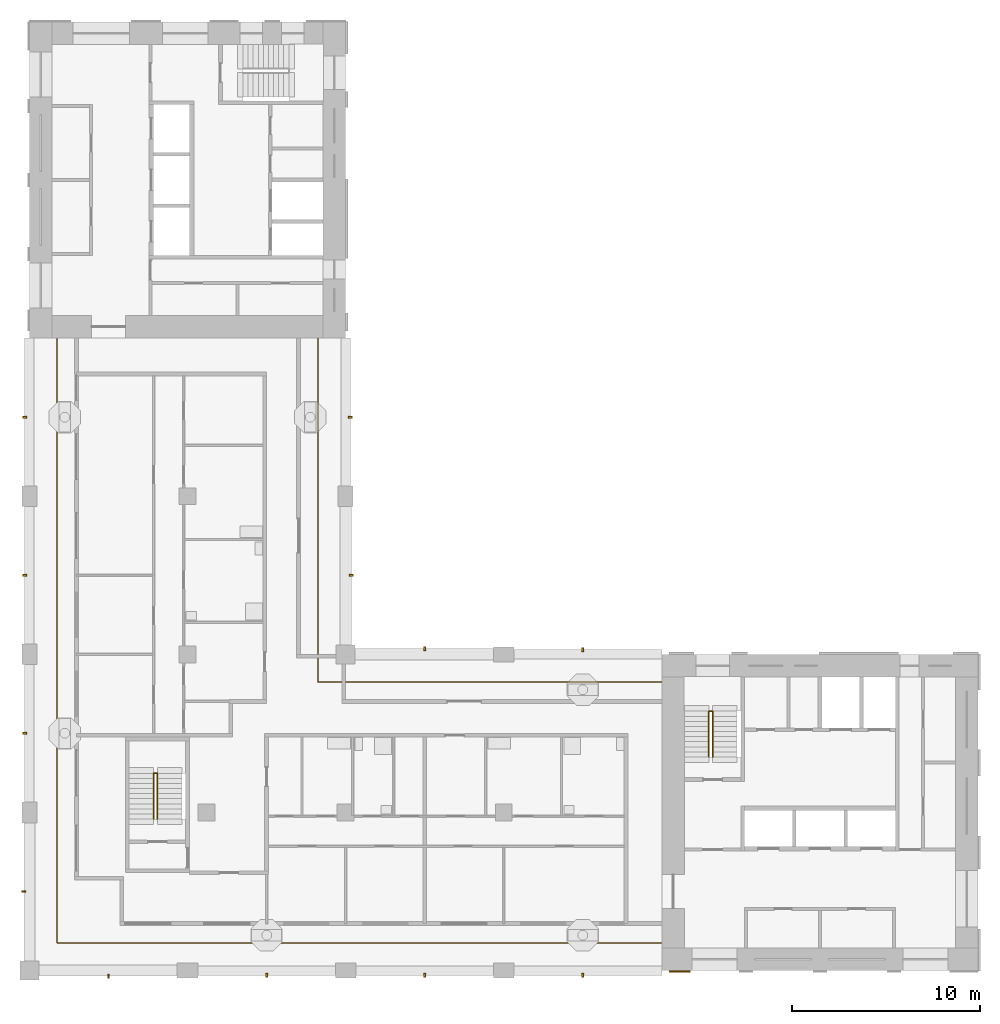
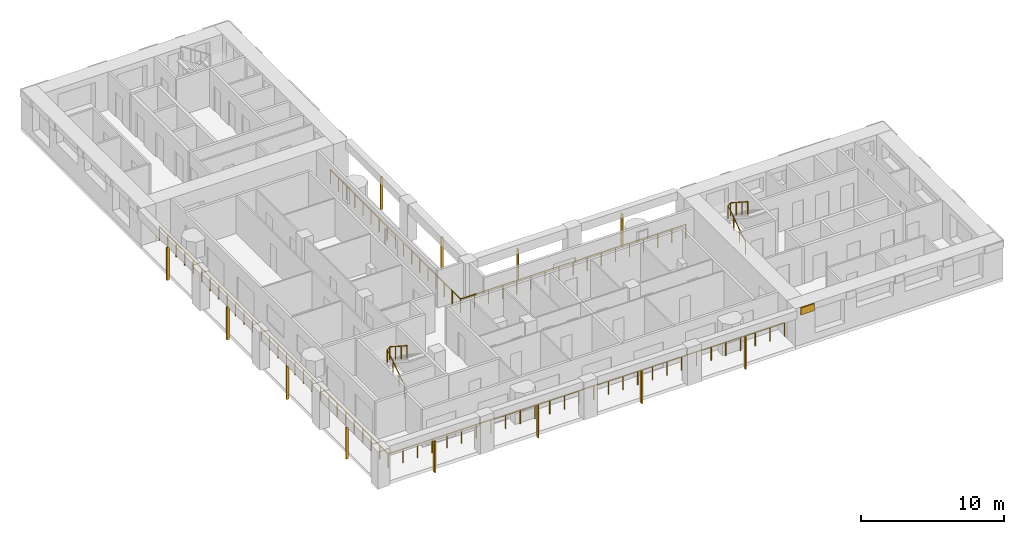
# One storey, part 7 of 11: 13 shading devices, 4 railings.
"""IFC4 building model written with IfcOpenShell, lengths in metres."""

from ifc_helpers import new_model, si_unit, direction, frame, origin, origin_2d, place, context, subcontext, project, spatial, rectangle, circle, extrude, material, layer, layer_set, material_profile, profile_set, type_object, element, save


model = new_model("IFC4")

# Units and contexts
model_context = context("Model", 3, precision=1e-05, world=origin(), true_north=direction((0.0, 1.0)))
body_context = subcontext(model_context, "Body", "Model", "MODEL_VIEW")
ifc_project = project(units=[si_unit("LENGTHUNIT", "METRE"), si_unit("AREAUNIT", "SQUARE_METRE"), si_unit("VOLUMEUNIT", "CUBIC_METRE"), si_unit("PLANEANGLEUNIT", "RADIAN"), si_unit("MASSUNIT", "GRAM", prefix="KILO")], contexts=[model_context])

# Site, building, storey
site_placement = place(None, origin())
site = spatial("IfcSite", under=ifc_project, at=site_placement, CompositionType="ELEMENT")
building_placement = place(site_placement, origin())
building = spatial("IfcBuilding", under=site, at=building_placement, Name="Vermilion Gate Residences", CompositionType="ELEMENT")
storey_placement = place(building_placement, frame((0.0, 0.0, 256.199951171875)))
storey = spatial("IfcBuildingStorey", under=building, at=storey_placement, Name="L67", CompositionType="ELEMENT", Elevation=256.199951171875)

# Railings
ifc_material_1 = material(Name="Stainless steel and toughened glass", Category="steel")
railing_type_1 = type_object("IfcRailingType", Name="LOGGIA GUARD STEEL AND GLASS 1200", PredefinedType="GUARDRAIL", material=ifc_material_1)
railing_1_placement = place(storey_placement, frame((41.97802734375, 23.72509765625, 0.0)))
element("IfcRailing", 1, at=railing_1_placement, inside=storey, type_object=railing_type_1, Name="Loggia guard", PredefinedType="GUARDRAIL", context=body_context, shape_type="SweptSolid", body=[
    extrude(circle(Radius=0.030029296875, at=origin_2d()), frame((0.0, 0.0, 1.169921875), z_axis=(-1.0, 0.0, 0.0), x_axis=(0.0, -1.0, 0.0)), (0.0, 0.0, 1.0), 18.2529296875),
    extrude(circle(Radius=0.030029296875, at=origin_2d()), frame((-18.2529296875, 0.0, 1.169921875), z_axis=(0.0, 1.0, 0.0), x_axis=(-1.0, 0.0, 0.0)), (0.0, 0.0, 1.0), 18.2529296875),
    extrude(circle(Radius=0.02490234375, at=origin_2d()), origin(), (0.0, 0.0, 1.0), 1.139892578125),
    extrude(circle(Radius=0.02490234375, at=origin_2d()), frame((-1.140869140625, 0.0, 0.0)), (0.0, 0.0, 1.0), 1.139892578125),
    extrude(circle(Radius=0.02490234375, at=origin_2d()), frame((-2.28173828125, 0.0, 0.0)), (0.0, 0.0, 1.0), 1.139892578125),
    extrude(circle(Radius=0.02490234375, at=origin_2d()), frame((-3.42236328125, 0.0, 0.0)), (0.0, 0.0, 1.0), 1.139892578125),
    extrude(circle(Radius=0.02490234375, at=origin_2d()), frame((-4.563232421875, 0.0, 0.0)), (0.0, 0.0, 1.0), 1.139892578125),
    extrude(circle(Radius=0.02490234375, at=origin_2d()), frame((-5.7041015625, 0.0, 0.0)), (0.0, 0.0, 1.0), 1.139892578125),
    extrude(circle(Radius=0.02490234375, at=origin_2d()), frame((-6.8447265625, 0.0, 0.0)), (0.0, 0.0, 1.0), 1.139892578125),
    extrude(circle(Radius=0.02490234375, at=origin_2d()), frame((-7.985595703125, 0.0, 0.0)), (0.0, 0.0, 1.0), 1.139892578125),
    extrude(circle(Radius=0.02490234375, at=origin_2d()), frame((-9.12646484375, 0.0, 0.0)), (0.0, 0.0, 1.0), 1.139892578125),
    extrude(circle(Radius=0.02490234375, at=origin_2d()), frame((-10.267333984375, 0.0, 0.0)), (0.0, 0.0, 1.0), 1.139892578125),
    extrude(circle(Radius=0.02490234375, at=origin_2d()), frame((-11.408203125, 0.0, 0.0)), (0.0, 0.0, 1.0), 1.139892578125),
    extrude(circle(Radius=0.02490234375, at=origin_2d()), frame((-12.548828125, 0.0, 0.0)), (0.0, 0.0, 1.0), 1.139892578125),
    extrude(circle(Radius=0.02490234375, at=origin_2d()), frame((-13.689697265625, 0.0, 0.0)), (0.0, 0.0, 1.0), 1.139892578125),
    extrude(circle(Radius=0.02490234375, at=origin_2d()), frame((-14.83056640625, 0.0, 0.0)), (0.0, 0.0, 1.0), 1.139892578125),
    extrude(circle(Radius=0.02490234375, at=origin_2d()), frame((-15.97119140625, 0.0, 0.0)), (0.0, 0.0, 1.0), 1.139892578125),
    extrude(circle(Radius=0.02490234375, at=origin_2d()), frame((-17.112060546875, 0.0, 0.0)), (0.0, 0.0, 1.0), 1.139892578125),
    extrude(circle(Radius=0.02490234375, at=origin_2d()), frame((-18.2529296875, 0.0, 0.0)), (0.0, 0.0, 1.0), 1.139892578125),
    extrude(circle(Radius=0.02490234375, at=origin_2d()), frame((-18.2529296875, 1.140869140625, 0.0)), (0.0, 0.0, 1.0), 1.139892578125),
    extrude(circle(Radius=0.02490234375, at=origin_2d()), frame((-18.2529296875, 2.28173828125, 0.0)), (0.0, 0.0, 1.0), 1.139892578125),
    extrude(circle(Radius=0.02490234375, at=origin_2d()), frame((-18.2529296875, 3.42236328125, 0.0)), (0.0, 0.0, 1.0), 1.139892578125),
    extrude(circle(Radius=0.02490234375, at=origin_2d()), frame((-18.2529296875, 4.563232421875, 0.0)), (0.0, 0.0, 1.0), 1.139892578125),
    extrude(circle(Radius=0.02490234375, at=origin_2d()), frame((-18.2529296875, 5.7041015625, 0.0)), (0.0, 0.0, 1.0), 1.139892578125),
    extrude(circle(Radius=0.02490234375, at=origin_2d()), frame((-18.2529296875, 6.8447265625, 0.0)), (0.0, 0.0, 1.0), 1.139892578125),
    extrude(circle(Radius=0.02490234375, at=origin_2d()), frame((-18.2529296875, 7.985595703125, 0.0)), (0.0, 0.0, 1.0), 1.139892578125),
    extrude(circle(Radius=0.02490234375, at=origin_2d()), frame((-18.2529296875, 9.12646484375, 0.0)), (0.0, 0.0, 1.0), 1.139892578125),
    extrude(circle(Radius=0.02490234375, at=origin_2d()), frame((-18.2529296875, 10.267333984375, 0.0)), (0.0, 0.0, 1.0), 1.139892578125),
    extrude(circle(Radius=0.02490234375, at=origin_2d()), frame((-18.2529296875, 11.408203125, 0.0)), (0.0, 0.0, 1.0), 1.139892578125),
    extrude(circle(Radius=0.02490234375, at=origin_2d()), frame((-18.2529296875, 12.548828125, 0.0)), (0.0, 0.0, 1.0), 1.139892578125),
    extrude(circle(Radius=0.02490234375, at=origin_2d()), frame((-18.2529296875, 13.689697265625, 0.0)), (0.0, 0.0, 1.0), 1.139892578125),
    extrude(circle(Radius=0.02490234375, at=origin_2d()), frame((-18.2529296875, 14.83056640625, 0.0)), (0.0, 0.0, 1.0), 1.139892578125),
    extrude(circle(Radius=0.02490234375, at=origin_2d()), frame((-18.2529296875, 15.97119140625, 0.0)), (0.0, 0.0, 1.0), 1.139892578125),
    extrude(circle(Radius=0.02490234375, at=origin_2d()), frame((-18.2529296875, 17.112060546875, 0.0)), (0.0, 0.0, 1.0), 1.139892578125),
    extrude(circle(Radius=0.02490234375, at=origin_2d()), frame((-18.2529296875, 18.2529296875, 0.0)), (0.0, 0.0, 1.0), 1.139892578125),
])
railing_2_placement = place(storey_placement, frame((9.875, 41.97802734375, 0.0)))
element("IfcRailing", 2, at=railing_2_placement, inside=storey, type_object=railing_type_1, Name="Loggia guard", PredefinedType="GUARDRAIL", context=body_context, shape_type="SweptSolid", body=[
    extrude(circle(Radius=0.030029296875, at=origin_2d()), frame((0.0, 0.0, 1.169921875), z_axis=(0.0, -1.0, 0.0), x_axis=(1.0, 0.0, 0.0)), (0.0, 0.0, 1.0), 32.10302734375),
    extrude(circle(Radius=0.030029296875, at=origin_2d()), frame((0.0, -32.10302734375, 1.169921875), z_axis=(1.0, 0.0, 0.0), x_axis=(0.0, 1.0, 0.0)), (0.0, 0.0, 1.0), 32.10302734375),
    extrude(circle(Radius=0.02490234375, at=origin_2d()), origin(), (0.0, 0.0, 1.0), 1.139892578125),
    extrude(circle(Radius=0.02490234375, at=origin_2d()), frame((0.0, -1.18896484375, 0.0)), (0.0, 0.0, 1.0), 1.139892578125),
    extrude(circle(Radius=0.02490234375, at=origin_2d()), frame((0.0, -2.3779296875, 0.0)), (0.0, 0.0, 1.0), 1.139892578125),
    extrude(circle(Radius=0.02490234375, at=origin_2d()), frame((0.0, -3.56689453125, 0.0)), (0.0, 0.0, 1.0), 1.139892578125),
    extrude(circle(Radius=0.02490234375, at=origin_2d()), frame((0.0, -4.756103515625, 0.0)), (0.0, 0.0, 1.0), 1.139892578125),
    extrude(circle(Radius=0.02490234375, at=origin_2d()), frame((0.0, -5.945068359375, 0.0)), (0.0, 0.0, 1.0), 1.139892578125),
    extrude(circle(Radius=0.02490234375, at=origin_2d()), frame((0.0, -7.134033203125, 0.0)), (0.0, 0.0, 1.0), 1.139892578125),
    extrude(circle(Radius=0.02490234375, at=origin_2d()), frame((0.0, -8.322998046875, 0.0)), (0.0, 0.0, 1.0), 1.139892578125),
    extrude(circle(Radius=0.02490234375, at=origin_2d()), frame((0.0, -9.511962890625, 0.0)), (0.0, 0.0, 1.0), 1.139892578125),
    extrude(circle(Radius=0.02490234375, at=origin_2d()), frame((0.0, -10.700927734375, 0.0)), (0.0, 0.0, 1.0), 1.139892578125),
    extrude(circle(Radius=0.02490234375, at=origin_2d()), frame((0.0, -11.889892578125, 0.0)), (0.0, 0.0, 1.0), 1.139892578125),
    extrude(circle(Radius=0.02490234375, at=origin_2d()), frame((0.0, -13.0791015625, 0.0)), (0.0, 0.0, 1.0), 1.139892578125),
    extrude(circle(Radius=0.02490234375, at=origin_2d()), frame((0.0, -14.26806640625, 0.0)), (0.0, 0.0, 1.0), 1.139892578125),
    extrude(circle(Radius=0.02490234375, at=origin_2d()), frame((0.0, -15.45703125, 0.0)), (0.0, 0.0, 1.0), 1.139892578125),
    extrude(circle(Radius=0.02490234375, at=origin_2d()), frame((0.0, -16.64599609375, 0.0)), (0.0, 0.0, 1.0), 1.139892578125),
    extrude(circle(Radius=0.02490234375, at=origin_2d()), frame((0.0, -17.8349609375, 0.0)), (0.0, 0.0, 1.0), 1.139892578125),
    extrude(circle(Radius=0.02490234375, at=origin_2d()), frame((0.0, -19.02392578125, 0.0)), (0.0, 0.0, 1.0), 1.139892578125),
    extrude(circle(Radius=0.02490234375, at=origin_2d()), frame((0.0, -20.213134765625, 0.0)), (0.0, 0.0, 1.0), 1.139892578125),
    extrude(circle(Radius=0.02490234375, at=origin_2d()), frame((0.0, -21.402099609375, 0.0)), (0.0, 0.0, 1.0), 1.139892578125),
    extrude(circle(Radius=0.02490234375, at=origin_2d()), frame((0.0, -22.591064453125, 0.0)), (0.0, 0.0, 1.0), 1.139892578125),
    extrude(circle(Radius=0.02490234375, at=origin_2d()), frame((0.0, -23.780029296875, 0.0)), (0.0, 0.0, 1.0), 1.139892578125),
    extrude(circle(Radius=0.02490234375, at=origin_2d()), frame((0.0, -24.968994140625, 0.0)), (0.0, 0.0, 1.0), 1.139892578125),
    extrude(circle(Radius=0.02490234375, at=origin_2d()), frame((0.0, -26.157958984375, 0.0)), (0.0, 0.0, 1.0), 1.139892578125),
    extrude(circle(Radius=0.02490234375, at=origin_2d()), frame((0.0, -27.346923828125, 0.0)), (0.0, 0.0, 1.0), 1.139892578125),
    extrude(circle(Radius=0.02490234375, at=origin_2d()), frame((0.0, -28.5361328125, 0.0)), (0.0, 0.0, 1.0), 1.139892578125),
    extrude(circle(Radius=0.02490234375, at=origin_2d()), frame((0.0, -29.72509765625, 0.0)), (0.0, 0.0, 1.0), 1.139892578125),
    extrude(circle(Radius=0.02490234375, at=origin_2d()), frame((0.0, -30.9140625, 0.0)), (0.0, 0.0, 1.0), 1.139892578125),
    extrude(circle(Radius=0.02490234375, at=origin_2d()), frame((0.0, -32.10302734375, 0.0)), (0.0, 0.0, 1.0), 1.139892578125),
    extrude(circle(Radius=0.02490234375, at=origin_2d()), frame((1.18896484375, -32.10302734375, 0.0)), (0.0, 0.0, 1.0), 1.139892578125),
    extrude(circle(Radius=0.02490234375, at=origin_2d()), frame((2.3779296875, -32.10302734375, 0.0)), (0.0, 0.0, 1.0), 1.139892578125),
    extrude(circle(Radius=0.02490234375, at=origin_2d()), frame((3.56689453125, -32.10302734375, 0.0)), (0.0, 0.0, 1.0), 1.139892578125),
    extrude(circle(Radius=0.02490234375, at=origin_2d()), frame((4.756103515625, -32.10302734375, 0.0)), (0.0, 0.0, 1.0), 1.139892578125),
    extrude(circle(Radius=0.02490234375, at=origin_2d()), frame((5.945068359375, -32.10302734375, 0.0)), (0.0, 0.0, 1.0), 1.139892578125),
    extrude(circle(Radius=0.02490234375, at=origin_2d()), frame((7.134033203125, -32.10302734375, 0.0)), (0.0, 0.0, 1.0), 1.139892578125),
    extrude(circle(Radius=0.02490234375, at=origin_2d()), frame((8.322998046875, -32.10302734375, 0.0)), (0.0, 0.0, 1.0), 1.139892578125),
    extrude(circle(Radius=0.02490234375, at=origin_2d()), frame((9.511962890625, -32.10302734375, 0.0)), (0.0, 0.0, 1.0), 1.139892578125),
    extrude(circle(Radius=0.02490234375, at=origin_2d()), frame((10.700927734375, -32.10302734375, 0.0)), (0.0, 0.0, 1.0), 1.139892578125),
    extrude(circle(Radius=0.02490234375, at=origin_2d()), frame((11.889892578125, -32.10302734375, 0.0)), (0.0, 0.0, 1.0), 1.139892578125),
    extrude(circle(Radius=0.02490234375, at=origin_2d()), frame((13.0791015625, -32.10302734375, 0.0)), (0.0, 0.0, 1.0), 1.139892578125),
    extrude(circle(Radius=0.02490234375, at=origin_2d()), frame((14.26806640625, -32.10302734375, 0.0)), (0.0, 0.0, 1.0), 1.139892578125),
    extrude(circle(Radius=0.02490234375, at=origin_2d()), frame((15.45703125, -32.10302734375, 0.0)), (0.0, 0.0, 1.0), 1.139892578125),
    extrude(circle(Radius=0.02490234375, at=origin_2d()), frame((16.64599609375, -32.10302734375, 0.0)), (0.0, 0.0, 1.0), 1.139892578125),
    extrude(circle(Radius=0.02490234375, at=origin_2d()), frame((17.8349609375, -32.10302734375, 0.0)), (0.0, 0.0, 1.0), 1.139892578125),
    extrude(circle(Radius=0.02490234375, at=origin_2d()), frame((19.02392578125, -32.10302734375, 0.0)), (0.0, 0.0, 1.0), 1.139892578125),
    extrude(circle(Radius=0.02490234375, at=origin_2d()), frame((20.213134765625, -32.10302734375, 0.0)), (0.0, 0.0, 1.0), 1.139892578125),
    extrude(circle(Radius=0.02490234375, at=origin_2d()), frame((21.402099609375, -32.10302734375, 0.0)), (0.0, 0.0, 1.0), 1.139892578125),
    extrude(circle(Radius=0.02490234375, at=origin_2d()), frame((22.591064453125, -32.10302734375, 0.0)), (0.0, 0.0, 1.0), 1.139892578125),
    extrude(circle(Radius=0.02490234375, at=origin_2d()), frame((23.780029296875, -32.10302734375, 0.0)), (0.0, 0.0, 1.0), 1.139892578125),
    extrude(circle(Radius=0.02490234375, at=origin_2d()), frame((24.968994140625, -32.10302734375, 0.0)), (0.0, 0.0, 1.0), 1.139892578125),
    extrude(circle(Radius=0.02490234375, at=origin_2d()), frame((26.157958984375, -32.10302734375, 0.0)), (0.0, 0.0, 1.0), 1.139892578125),
    extrude(circle(Radius=0.02490234375, at=origin_2d()), frame((27.346923828125, -32.10302734375, 0.0)), (0.0, 0.0, 1.0), 1.139892578125),
    extrude(circle(Radius=0.02490234375, at=origin_2d()), frame((28.5361328125, -32.10302734375, 0.0)), (0.0, 0.0, 1.0), 1.139892578125),
    extrude(circle(Radius=0.02490234375, at=origin_2d()), frame((29.72509765625, -32.10302734375, 0.0)), (0.0, 0.0, 1.0), 1.139892578125),
    extrude(circle(Radius=0.02490234375, at=origin_2d()), frame((30.9140625, -32.10302734375, 0.0)), (0.0, 0.0, 1.0), 1.139892578125),
    extrude(circle(Radius=0.02490234375, at=origin_2d()), frame((32.10302734375, -32.10302734375, 0.0)), (0.0, 0.0, 1.0), 1.139892578125),
])
ifc_material_2 = material(Name="Steel S355", Category="steel")
railing_type_2 = type_object("IfcRailingType", Name="STAIR GUARD 1100 STEEL", PredefinedType="GUARDRAIL", material=ifc_material_2)
for number, where, name in (
    (3, (44.5, 19.75, 0.175048828125), "Stair well guard STA1-67"),
    (4, (15.0, 16.449951171875, 0.175048828125), "Stair well guard STC1-67"),
):
    element("IfcRailing", number, at=place(storey_placement, frame(where)), inside=storey, type_object=railing_type_2, Name=name, PredefinedType="GUARDRAIL", context=body_context, shape_type="SweptSolid", body=[
        extrude(circle(Radius=0.02392578125, at=origin_2d()), frame((0.0, 0.0, 1.076171875), z_axis=(0.0, 0.839153699163, 0.543894354798), x_axis=(-1.0, 0.0, 0.0)), (0.0, 0.0, 1.0), 2.895751953125),
        extrude(circle(Radius=0.02392578125, at=origin_2d()), frame((0.0, 2.429931640625, 2.65087890625), z_axis=(0.752405939678, 0.0, 0.658699705433), x_axis=(0.0, 1.0, 0.0)), (0.0, 0.0, 1.0), 0.265869140625),
        extrude(circle(Radius=0.02392578125, at=origin_2d()), frame((0.199951171875, 2.429931640625, 2.826171875), z_axis=(0.0, -0.839153699163, 0.543894354798), x_axis=(1.0, 0.0, 0.0)), (0.0, 0.0, 1.0), 2.895751953125),
        extrude(circle(Radius=0.02099609375, at=origin_2d()), origin(), (0.0, 0.0, 1.0), 1.052001953125),
        extrude(circle(Radius=0.02099609375, at=origin_2d()), frame((0.0, 0.81005859375, 0.52490234375)), (0.0, 0.0, 1.0), 1.052001953125),
        extrude(circle(Radius=0.02099609375, at=origin_2d()), frame((0.0, 1.619873046875, 1.050048828125)), (0.0, 0.0, 1.0), 1.052001953125),
        extrude(circle(Radius=0.02099609375, at=origin_2d()), frame((0.0, 2.429931640625, 1.574951171875)), (0.0, 0.0, 1.0), 1.052001953125),
        extrude(circle(Radius=0.02099609375, at=origin_2d()), frame((0.199951171875, 2.429931640625, 1.75)), (0.0, 0.0, 1.0), 1.052001953125),
        extrude(circle(Radius=0.02099609375, at=origin_2d()), frame((0.199951171875, 1.619873046875, 2.27490234375)), (0.0, 0.0, 1.0), 1.052001953125),
        extrude(circle(Radius=0.02099609375, at=origin_2d()), frame((0.199951171875, 0.81005859375, 2.800048828125)), (0.0, 0.0, 1.0), 1.052001953125),
        extrude(circle(Radius=0.02099609375, at=origin_2d()), frame((0.199951171875, 0.0, 3.324951171875)), (0.0, 0.0, 1.0), 1.052001953125),
    ])

# Shading devices
ifc_material_3 = material(Name="Extruded terracotta", Category="masonry")
ifc_material_profile = material_profile(ifc_material_3, rectangle(XDim=0.199951171875, YDim=0.10009765625, at=origin_2d()), Name="BAGUETTE 100 X 200")
ifc_profile_set = profile_set([ifc_material_profile], Name="Extruded terracotta")
shading_device_type_1 = type_object("IfcShadingDeviceType", Name="TERRACOTTA BAGUETTE 100 X 200", PredefinedType="JALOUSIE", material=ifc_profile_set)
shading_device_1_placement = place(storey_placement, frame((12.60009765625, 8.10009765625, -0.280029296875), z_axis=(0.0, 0.0, 1.0), x_axis=(0.0, 1.0, 0.0)))
element("IfcShadingDevice", 5, at=shading_device_1_placement, inside=storey, type_object=shading_device_type_1, Name="BAGUETTE", PredefinedType="JALOUSIE", context=body_context, shape_type="SweptSolid", body=[
    extrude(rectangle(XDim=0.199951171875, YDim=0.10009765625, at=origin_2d()), origin(), (0.0, 0.0, 1.0), 2.7001953125),
])
for number, where, z_axis, x_axis, name in (
    (6, (21.0, 8.14990234375, -0.280029296875), (0.0, 0.0, 1.0), (0.0, 1.0, 0.0), "BAGUETTE"),
    (7, (29.39990234375, 8.14990234375, -0.280029296875), (0.0, 0.0, 1.0), (0.0, 1.0, 0.0), "BAGUETTE"),
    (8, (37.800048828125, 8.14990234375, -0.280029296875), (0.0, 0.0, 1.0), (0.0, 1.0, 0.0), "BAGUETTE"),
):
    element("IfcShadingDevice", number, at=place(storey_placement, frame(where, z_axis=z_axis, x_axis=x_axis)), inside=storey, type_object=shading_device_type_1, Name=name, PredefinedType="JALOUSIE", context=body_context, shape_type="SweptSolid", body=[
        extrude(rectangle(XDim=0.199951171875, YDim=0.10009765625, at=origin_2d()), origin(), (0.0, 0.0, 1.0), 2.800048828125),
    ])
shading_device_2_placement = place(storey_placement, frame((29.39990234375, 25.5, -0.280029296875), z_axis=(0.0, 0.0, 1.0), x_axis=(0.0, -1.0, 0.0)))
element("IfcShadingDevice", 9, at=shading_device_2_placement, inside=storey, type_object=shading_device_type_1, Name="BAGUETTE", PredefinedType="JALOUSIE", context=body_context, shape_type="SweptSolid", body=[
    extrude(rectangle(XDim=0.199951171875, YDim=0.10009765625, at=origin_2d()), origin(), (0.0, 0.0, 1.0), 2.7001953125),
])
shading_device_3_placement = place(storey_placement, frame((37.800048828125, 25.449951171875, -0.280029296875), z_axis=(0.0, 0.0, 1.0), x_axis=(0.0, -1.0, 0.0)))
element("IfcShadingDevice", 10, at=shading_device_3_placement, inside=storey, type_object=shading_device_type_1, Name="BAGUETTE", PredefinedType="JALOUSIE", context=body_context, shape_type="SweptSolid", body=[
    extrude(rectangle(XDim=0.199951171875, YDim=0.10009765625, at=origin_2d()), origin(), (0.0, 0.0, 1.0), 2.800048828125),
])
shading_device_4_placement = place(storey_placement, frame((25.5, 29.39990234375, -0.280029296875), z_axis=(0.0, 0.0, 1.0), x_axis=(-1.0, 0.0, 0.0)))
element("IfcShadingDevice", 11, at=shading_device_4_placement, inside=storey, type_object=shading_device_type_1, Name="BAGUETTE", PredefinedType="JALOUSIE", context=body_context, shape_type="SweptSolid", body=[
    extrude(rectangle(XDim=0.199951171875, YDim=0.10009765625, at=origin_2d()), origin(), (0.0, 0.0, 1.0), 2.7001953125),
])
shading_device_5_placement = place(storey_placement, frame((25.449951171875, 37.800048828125, -0.280029296875), z_axis=(0.0, 0.0, 1.0), x_axis=(-1.0, 0.0, 0.0)))
element("IfcShadingDevice", 12, at=shading_device_5_placement, inside=storey, type_object=shading_device_type_1, Name="BAGUETTE", PredefinedType="JALOUSIE", context=body_context, shape_type="SweptSolid", body=[
    extrude(rectangle(XDim=0.199951171875, YDim=0.10009765625, at=origin_2d()), origin(), (0.0, 0.0, 1.0), 2.800048828125),
])
shading_device_6_placement = place(storey_placement, frame((8.10009765625, 12.60009765625, -0.280029296875), z_axis=(0.0, 0.0, 1.0), x_axis=(1.0, 0.0, 0.0)))
element("IfcShadingDevice", 13, at=shading_device_6_placement, inside=storey, type_object=shading_device_type_1, Name="BAGUETTE", PredefinedType="JALOUSIE", context=body_context, shape_type="SweptSolid", body=[
    extrude(rectangle(XDim=0.199951171875, YDim=0.10009765625, at=origin_2d()), origin(), (0.0, 0.0, 1.0), 2.7001953125),
])
for number, where, z_axis, x_axis, name in (
    (14, (8.14990234375, 21.0, -0.280029296875), (0.0, 0.0, 1.0), (1.0, 0.0, 0.0), "BAGUETTE"),
    (15, (8.14990234375, 29.39990234375, -0.280029296875), (0.0, 0.0, 1.0), (1.0, 0.0, 0.0), "BAGUETTE"),
    (16, (8.14990234375, 37.800048828125, -0.280029296875), (0.0, 0.0, 1.0), (1.0, 0.0, 0.0), "BAGUETTE"),
):
    element("IfcShadingDevice", number, at=place(storey_placement, frame(where, z_axis=z_axis, x_axis=x_axis)), inside=storey, type_object=shading_device_type_1, Name=name, PredefinedType="JALOUSIE", context=body_context, shape_type="SweptSolid", body=[
        extrude(rectangle(XDim=0.199951171875, YDim=0.10009765625, at=origin_2d()), origin(), (0.0, 0.0, 1.0), 2.800048828125),
    ])
ifc_material_4 = material(Name="Extruded terracotta", Category="masonry")
ifc_layer = layer(ifc_material_4, 0.10009765625)
ifc_layer_set = layer_set([ifc_layer], Name="TERRACOTTA SPANDREL BAND 600 X 100")
shading_device_type_2 = type_object("IfcShadingDeviceType", Name="TERRACOTTA SPANDREL BAND 600 X 100", PredefinedType="USERDEFINED", material=ifc_layer_set)
shading_device_7_placement = place(storey_placement, frame((42.949951171875, 8.35009765625, 2.6201171875), z_axis=(0.0, 0.0, 1.0), x_axis=(1.0, 0.0, 0.0)))
element("IfcShadingDevice", 17, at=shading_device_7_placement, inside=storey, type_object=shading_device_type_2, Name="SPANDREL BAND", ObjectType="BAND", PredefinedType="USERDEFINED", context=body_context, shape_type="SweptSolid", body=[
    extrude(rectangle(XDim=1.10009765625, YDim=0.10009765625, at=origin_2d()), origin(), (0.0, 0.0, 1.0), 0.60009765625),
])

save(model, "model.ifc")
